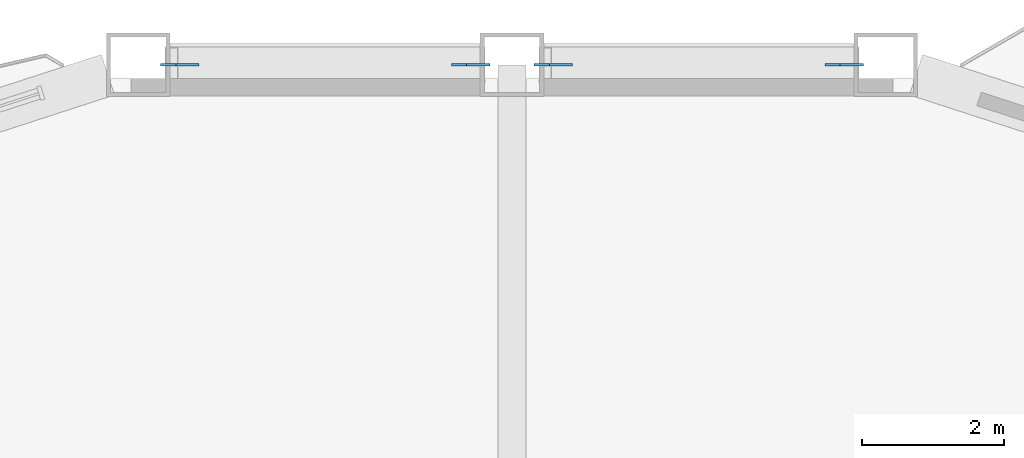
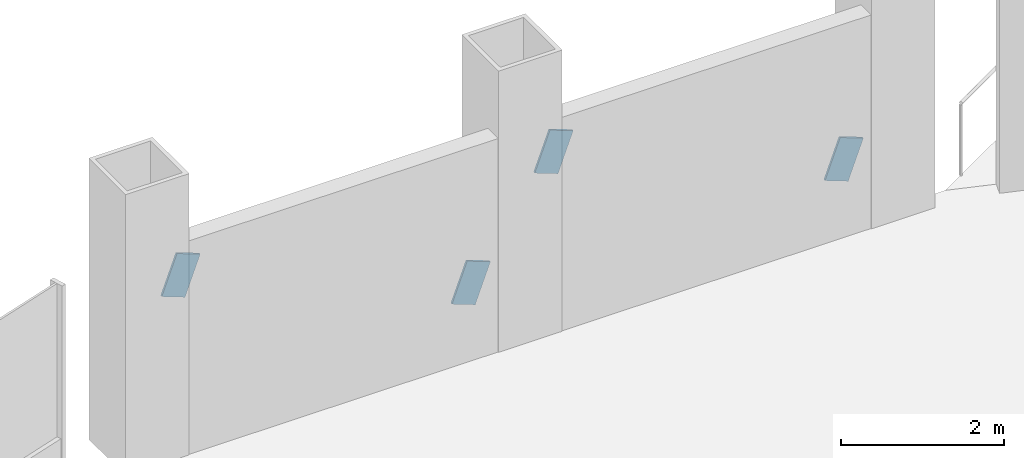
# One storey, part 16 of 21: 4 discrete accessories.
"""IFC4 building model written with IfcOpenShell, lengths in metres."""

from ifc_helpers import new_model, si_unit, direction, frame, origin, origin_2d, place, context, subcontext, project, spatial, rectangle, extrude, material, material_profile, profile_set, type_object, element, save


model = new_model("IFC4")

# Units and contexts
model_context = context("Model", 3, precision=1e-05, world=origin(), true_north=direction((0.0, 1.0)))
body_context = subcontext(model_context, "Body", "Model", "MODEL_VIEW")
ifc_project = project(units=[si_unit("LENGTHUNIT", "METRE"), si_unit("AREAUNIT", "SQUARE_METRE"), si_unit("VOLUMEUNIT", "CUBIC_METRE"), si_unit("PLANEANGLEUNIT", "RADIAN"), si_unit("MASSUNIT", "GRAM", prefix="KILO")], contexts=[model_context])

# Site, building, storey
site_placement = place(None, origin())
site = spatial("IfcSite", under=ifc_project, at=site_placement, CompositionType="ELEMENT")
building_placement = place(site_placement, origin())
building = spatial("IfcBuilding", under=site, at=building_placement, Name="Cormorant Prow Tower", CompositionType="ELEMENT")
storey_placement = place(building_placement, frame((0.0, 0.0, 99.60009765625)))
storey = spatial("IfcBuildingStorey", under=building, at=storey_placement, Name="L20", CompositionType="ELEMENT", Elevation=99.60009765625)

# Discrete accessories
ifc_material = material(Name="Structural steel ASTM A500 Gr C", Category="steel")
ifc_material_profile = material_profile(ifc_material, rectangle(XDim=0.031982421875, YDim=0.60791015625, at=origin_2d()), Name="Gusset plate 32x608")
ifc_profile_set = profile_set([ifc_material_profile], Name="Structural steel ASTM A500 Gr C")
discrete_accessory_type = type_object("IfcDiscreteAccessoryType", Name="Gusset plate 32x608", PredefinedType="BRACKET", material=ifc_profile_set)
discrete_accessory_1_placement = place(storey_placement, frame((4.521240234375, 32.487060546875, 0.88232421875), z_axis=(0.935610415408, 0.0, -0.353034205963), x_axis=(0.0, 1.0, 0.0)))
element("IfcDiscreteAccessory", 1, at=discrete_accessory_1_placement, inside=storey, type_object=discrete_accessory_type, Name="Gusset plate GP1 L20.N00.g0", PredefinedType="BRACKET", context=body_context, shape_type="SweptSolid", body=[
    extrude(rectangle(XDim=0.031982421875, YDim=0.60791015625, at=origin_2d()), origin(), (0.0, 0.0, 1.0), 0.349853515625),
])
for number, where, z_axis, x_axis, name in (
    (2, (0.74853515625, 32.487060546875, 2.306396484375), (-0.935697286394, 0.0, 0.35280389487), (0.0, -1.0, 0.0), "Gusset plate GP1 L20.N00.g1"),
    (3, (-0.74853515625, 32.487060546875, 0.88232421875), (0.935697286394, 0.0, -0.35280389487), (0.0, 1.0, 0.0), "Gusset plate GP1 L20.N01.g0"),
):
    element("IfcDiscreteAccessory", number, at=place(storey_placement, frame(where, z_axis=z_axis, x_axis=x_axis)), inside=storey, type_object=discrete_accessory_type, Name=name, PredefinedType="BRACKET", context=body_context, shape_type="SweptSolid", body=[
        extrude(rectangle(XDim=0.031982421875, YDim=0.60791015625, at=origin_2d()), origin(), (0.0, 0.0, 1.0), 0.35009765625),
    ])
discrete_accessory_2_placement = place(storey_placement, frame((-4.521240234375, 32.487060546875, 2.306396484375), z_axis=(-0.935610415408, 0.0, 0.353034205963), x_axis=(0.0, -1.0, 0.0)))
element("IfcDiscreteAccessory", 4, at=discrete_accessory_2_placement, inside=storey, type_object=discrete_accessory_type, Name="Gusset plate GP1 L20.N01.g1", PredefinedType="BRACKET", context=body_context, shape_type="SweptSolid", body=[
    extrude(rectangle(XDim=0.031982421875, YDim=0.60791015625, at=origin_2d()), origin(), (0.0, 0.0, 1.0), 0.349853515625),
])

save(model, "model.ifc")
